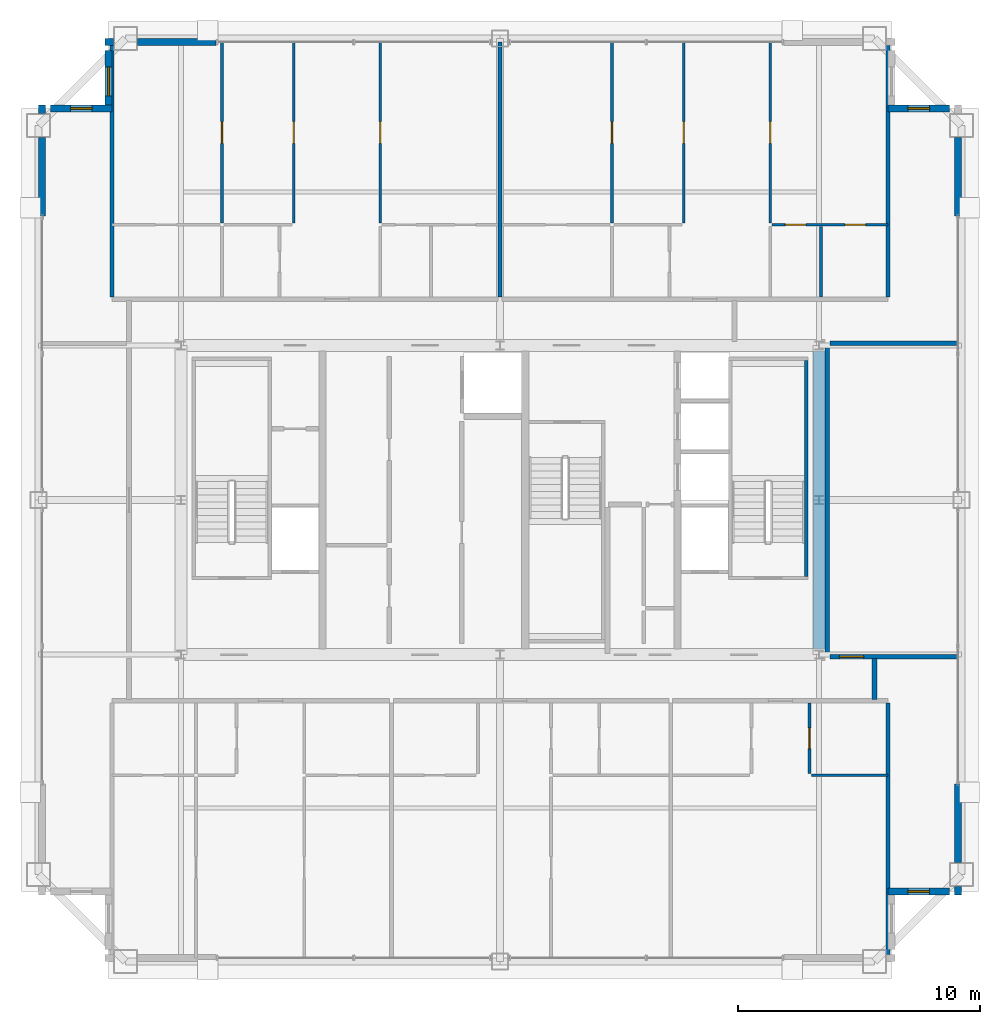
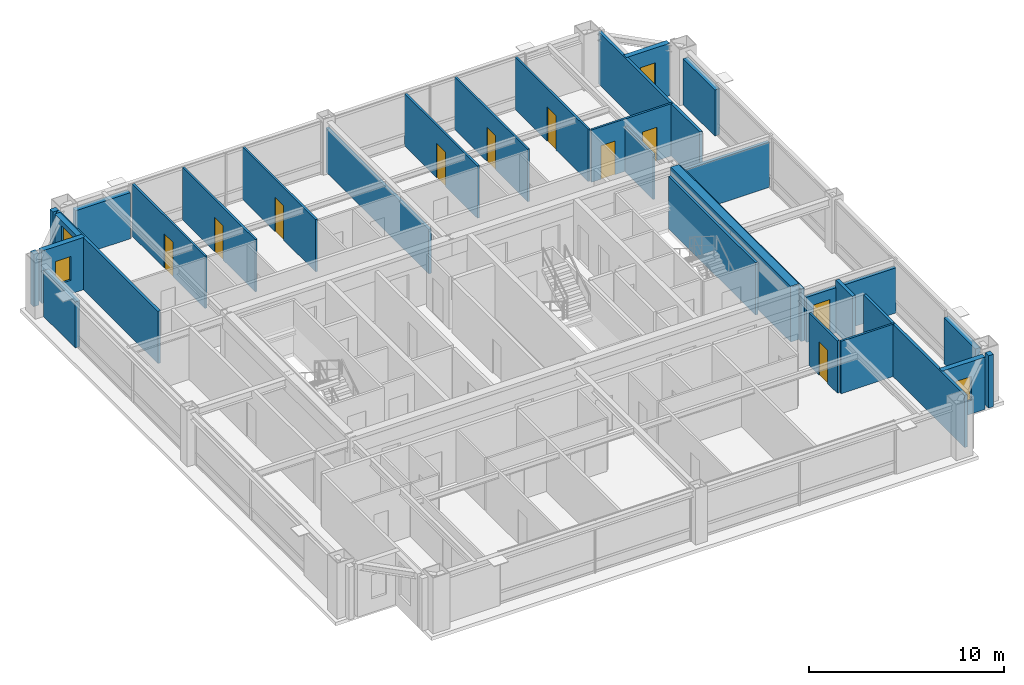
# One storey, part 33 of 35: 31 walls, 10 doors, 4 windows, 14 openings.
"""IFC4 building model written with IfcOpenShell, lengths in metres."""

from ifc_helpers import new_model, si_unit, direction, frame, frame_2d, origin, place, context, subcontext, project, spatial, rectangle, extrude, source, transform, mapped, material, layer, layer_set, type_object, element, fill, save


model = new_model("IFC4")

# Units and contexts
model_context = context("Model", 3, precision=1e-05, world=origin(), true_north=direction((0.0, 1.0)))
body_context = subcontext(model_context, "Body", "Model", "MODEL_VIEW")
ifc_project = project(units=[si_unit("LENGTHUNIT", "METRE"), si_unit("AREAUNIT", "SQUARE_METRE"), si_unit("VOLUMEUNIT", "CUBIC_METRE"), si_unit("PLANEANGLEUNIT", "RADIAN"), si_unit("MASSUNIT", "GRAM", prefix="KILO"), si_unit("THERMODYNAMICTEMPERATUREUNIT", "KELVIN"), si_unit("POWERUNIT", "WATT")], contexts=[model_context])

# Site, building, storey
site_placement = place(None, origin())
site = spatial("IfcSite", under=ifc_project, at=site_placement, CompositionType="ELEMENT")
building_placement = place(site_placement, origin())
building = spatial("IfcBuilding", under=site, at=building_placement, Name="Yuzanri Waterfront Tower", CompositionType="ELEMENT")
storey_placement = place(building_placement, frame((0.0, 0.0, 332.199951171875)))
storey = spatial("IfcBuildingStorey", under=building, at=storey_placement, Name="L89", CompositionType="ELEMENT", Elevation=332.199951171875)

# Wall, opening, door
ifc_material_1 = material(Name="Moisture-Resistant Gypsum Stud Wall", Category="gypsum")
ifc_layer_1 = layer(ifc_material_1, 0.1201171875)
ifc_layer_set_1 = layer_set([ifc_layer_1], Name="Moisture-Resistant Gypsum Stud Wall")
wall_type_1 = type_object("IfcWallType", Name="Bathroom and Kitchen Wet Partition 120", PredefinedType="PARTITIONING", material=ifc_layer_set_1)
wall_1_placement = place(storey_placement, frame((49.804931640625, 14.489990234375, 0.0), z_axis=(0.0, 0.0, 1.0), x_axis=(0.0, 1.0, 0.0)))
wall_1 = element("IfcWall", 1, at=wall_1_placement, inside=storey, type_object=wall_type_1, Name="L89 Partition UW-L89-HS3-SUB-2-W", PredefinedType="PARTITIONING", context=body_context, shape_type="SweptSolid", body=[
    extrude(rectangle(XDim=2.89990234375, YDim=0.1201171875, at=frame_2d((1.449951171875, 0.0))), origin(), (0.0, 0.0, 1.0), 3.280029296875),
])
opening_1_placement = place(wall_1_placement, frame((1.02490234375, 0.0, 0.0)))
opening_1 = element("IfcOpeningElement", 2, at=opening_1_placement, cuts=wall_1, Name="Opening ID-0850", PredefinedType="OPENING", context=body_context, shape_type="SweptSolid", body=[
    extrude(rectangle(XDim=0.85009765625, YDim=2.10009765625, at=frame_2d((0.425048828125, 1.050048828125))), frame((0.0, 0.074951171875, 0.0), z_axis=(0.0, -1.0, 0.0), x_axis=(1.0, 0.0, 0.0)), (0.0, 0.0, 1.0), 0.14990234375),
])
ifc_material_2 = material(Name="Moisture-Resistant Lacquered Timber", Category="wood")
door_type_1 = type_object("IfcDoorType", Name="En-Suite Bathroom and Kitchen Swing Door 850x2100", OperationType="NOTDEFINED", PredefinedType="DOOR", material=ifc_material_2)
shared_shape_1 = source(origin(), body_context, "Body", "SweptSolid", [
    extrude(rectangle(XDim=0.85009765625, YDim=2.10009765625, at=frame_2d((0.425048828125, 1.050048828125))), frame((0.0, 0.02490234375, 0.0), z_axis=(0.0, -1.0, 0.0), x_axis=(1.0, 0.0, 0.0)), (0.0, 0.0, 1.0), 0.050048828125),
])
door_1_placement = place(opening_1_placement, origin())
door_1 = element("IfcDoor", 3, at=door_1_placement, inside=storey, type_object=door_type_1, Name="L89 Suite Interior Room Door", OperationType="SINGLE_SWING_RIGHT", OverallHeight=2.10009765625, OverallWidth=0.85009765625, PredefinedType="DOOR", context=body_context, shape_type="MappedRepresentation", body=[
    mapped(shared_shape_1, transform((0.0, 0.0, 0.0), scale=1.0)),
])
fill(opening_1, door_1)

wall_2_placement = place(storey_placement, frame((25.493896484375, 37.27001953125, 0.0), z_axis=(0.0, 0.0, 1.0), x_axis=(0.0, 1.0, 0.0)))
wall_2 = element("IfcWall", 4, at=wall_2_placement, inside=storey, type_object=wall_type_1, Name="L89 Partition UW-L89-HN1-SUB-5-E", PredefinedType="PARTITIONING", context=body_context, shape_type="SweptSolid", body=[
    extrude(rectangle(XDim=7.47998046875, YDim=0.1201171875, at=frame_2d((3.739990234375, 0.0))), origin(), (0.0, 0.0, 1.0), 3.280029296875),
])
opening_2_placement = place(wall_2_placement, frame((3.2900390625, 0.0, 0.0)))
opening_2 = element("IfcOpeningElement", 5, at=opening_2_placement, cuts=wall_2, Name="Opening ID-0900", PredefinedType="OPENING", context=body_context, shape_type="SweptSolid", body=[
    extrude(rectangle(XDim=0.89990234375, YDim=2.14990234375, at=frame_2d((0.449951171875, 1.074951171875))), frame((0.0, 0.074951171875, 0.0), z_axis=(0.0, -1.0, 0.0), x_axis=(1.0, 0.0, 0.0)), (0.0, 0.0, 1.0), 0.14990234375),
])
ifc_material_3 = material(Name="Stained Walnut Veneer Timber", Category="wood")
door_type_2 = type_object("IfcDoorType", Name="Bedroom and Study Interior Swing Door 900x2150", OperationType="NOTDEFINED", PredefinedType="DOOR", material=ifc_material_3)
shared_shape_2 = source(origin(), body_context, "Body", "SweptSolid", [
    extrude(rectangle(XDim=0.89990234375, YDim=2.14990234375, at=frame_2d((0.449951171875, 1.074951171875))), frame((0.0, 0.02490234375, 0.0), z_axis=(0.0, -1.0, 0.0), x_axis=(1.0, 0.0, 0.0)), (0.0, 0.0, 1.0), 0.050048828125),
])
door_2_placement = place(opening_2_placement, origin())
door_2 = element("IfcDoor", 6, at=door_2_placement, inside=storey, type_object=door_type_2, Name="L89 Suite Interior Room Door", OperationType="SINGLE_SWING_RIGHT", OverallHeight=2.14990234375, OverallWidth=0.89990234375, PredefinedType="DOOR", context=body_context, shape_type="MappedRepresentation", body=[
    mapped(shared_shape_2, transform((0.0, 0.0, 0.0), scale=1.0)),
])
fill(opening_2, door_2)

wall_3_placement = place(storey_placement, frame((32.0458984375, 37.27001953125, 0.0), z_axis=(0.0, 0.0, 1.0), x_axis=(0.0, 1.0, 0.0)))
wall_3 = element("IfcWall", 7, at=wall_3_placement, inside=storey, type_object=wall_type_1, Name="L89 Partition UW-L89-HN1-SUB-6-W", PredefinedType="PARTITIONING", context=body_context, shape_type="SweptSolid", body=[
    extrude(rectangle(XDim=7.47998046875, YDim=0.1201171875, at=frame_2d((3.739990234375, 0.0))), origin(), (0.0, 0.0, 1.0), 3.280029296875),
])
opening_3_placement = place(wall_3_placement, frame((3.2900390625, 0.0, 0.0)))
opening_3 = element("IfcOpeningElement", 8, at=opening_3_placement, cuts=wall_3, Name="Opening ID-0900", PredefinedType="OPENING", context=body_context, shape_type="SweptSolid", body=[
    extrude(rectangle(XDim=0.89990234375, YDim=2.14990234375, at=frame_2d((0.449951171875, 1.074951171875))), frame((0.0, 0.074951171875, 0.0), z_axis=(0.0, -1.0, 0.0), x_axis=(1.0, 0.0, 0.0)), (0.0, 0.0, 1.0), 0.14990234375),
])
door_3_placement = place(opening_3_placement, origin())
door_3 = element("IfcDoor", 9, at=door_3_placement, inside=storey, type_object=door_type_2, Name="L89 Suite Interior Room Door", OperationType="SINGLE_SWING_LEFT", OverallHeight=2.14990234375, OverallWidth=0.89990234375, PredefinedType="DOOR", context=body_context, shape_type="MappedRepresentation", body=[
    mapped(shared_shape_2, transform((0.0, 0.0, 0.0), scale=1.0)),
])
fill(opening_3, door_3)

wall_4_placement = place(storey_placement, frame((28.466064453125, 37.27001953125, 0.0), z_axis=(0.0, 0.0, 1.0), x_axis=(0.0, 1.0, 0.0)))
wall_4 = element("IfcWall", 10, at=wall_4_placement, inside=storey, type_object=wall_type_1, Name="L89 Partition UW-L89-HN1-SUB-7-E", PredefinedType="PARTITIONING", context=body_context, shape_type="SweptSolid", body=[
    extrude(rectangle(XDim=7.47998046875, YDim=0.1201171875, at=frame_2d((3.739990234375, 0.0))), origin(), (0.0, 0.0, 1.0), 3.280029296875),
])
opening_4_placement = place(wall_4_placement, frame((3.2900390625, 0.0, 0.0)))
opening_4 = element("IfcOpeningElement", 11, at=opening_4_placement, cuts=wall_4, Name="Opening ID-0900", PredefinedType="OPENING", context=body_context, shape_type="SweptSolid", body=[
    extrude(rectangle(XDim=0.89990234375, YDim=2.14990234375, at=frame_2d((0.449951171875, 1.074951171875))), frame((0.0, 0.074951171875, 0.0), z_axis=(0.0, -1.0, 0.0), x_axis=(1.0, 0.0, 0.0)), (0.0, 0.0, 1.0), 0.14990234375),
])
door_4_placement = place(opening_4_placement, origin())
door_4 = element("IfcDoor", 12, at=door_4_placement, inside=storey, type_object=door_type_2, Name="L89 Suite Interior Room Door", OperationType="SINGLE_SWING_RIGHT", OverallHeight=2.14990234375, OverallWidth=0.89990234375, PredefinedType="DOOR", context=body_context, shape_type="MappedRepresentation", body=[
    mapped(shared_shape_2, transform((0.0, 0.0, 0.0), scale=1.0)),
])
fill(opening_4, door_4)

wall_5_placement = place(storey_placement, frame((41.634033203125, 37.27001953125, 0.0), z_axis=(0.0, 0.0, 1.0), x_axis=(0.0, 1.0, 0.0)))
wall_5 = element("IfcWall", 13, at=wall_5_placement, inside=storey, type_object=wall_type_1, Name="L89 Partition UW-L89-HN2-SUB-5-E", PredefinedType="PARTITIONING", context=body_context, shape_type="SweptSolid", body=[
    extrude(rectangle(XDim=7.47998046875, YDim=0.1201171875, at=frame_2d((3.739990234375, 0.0))), origin(), (0.0, 0.0, 1.0), 3.280029296875),
])
opening_5_placement = place(wall_5_placement, frame((3.2900390625, 0.0, 0.0)))
opening_5 = element("IfcOpeningElement", 14, at=opening_5_placement, cuts=wall_5, Name="Opening ID-0900", PredefinedType="OPENING", context=body_context, shape_type="SweptSolid", body=[
    extrude(rectangle(XDim=0.89990234375, YDim=2.14990234375, at=frame_2d((0.449951171875, 1.074951171875))), frame((0.0, 0.074951171875, 0.0), z_axis=(0.0, -1.0, 0.0), x_axis=(1.0, 0.0, 0.0)), (0.0, 0.0, 1.0), 0.14990234375),
])
door_5_placement = place(opening_5_placement, origin())
door_5 = element("IfcDoor", 15, at=door_5_placement, inside=storey, type_object=door_type_2, Name="L89 Suite Interior Room Door", OperationType="SINGLE_SWING_RIGHT", OverallHeight=2.14990234375, OverallWidth=0.89990234375, PredefinedType="DOOR", context=body_context, shape_type="MappedRepresentation", body=[
    mapped(shared_shape_2, transform((0.0, 0.0, 0.0), scale=1.0)),
])
fill(opening_5, door_5)

# Wall, openings, doors
wall_6_placement = place(storey_placement, frame((48.26611328125, 37.18994140625, 0.0), z_axis=(0.0, 0.0, 1.0), x_axis=(1.0, 0.0, 0.0)))
wall_6 = element("IfcWall", 16, at=wall_6_placement, inside=storey, type_object=wall_type_1, Name="L89 Partition UW-L89-HN2-SUB-6-S", PredefinedType="PARTITIONING", context=body_context, shape_type="SweptSolid", body=[
    extrude(rectangle(XDim=4.7939453125, YDim=0.1201171875, at=frame_2d((2.39697265625, 0.0))), origin(), (0.0, 0.0, 1.0), 3.280029296875),
])
opening_6_placement = place(wall_6_placement, frame((3.01904296875, 0.0, 0.0)))
opening_6 = element("IfcOpeningElement", 17, at=opening_6_placement, cuts=wall_6, Name="Opening ID-0850", PredefinedType="OPENING", context=body_context, shape_type="SweptSolid", body=[
    extrude(rectangle(XDim=0.85009765625, YDim=2.10009765625, at=frame_2d((0.425048828125, 1.050048828125))), frame((0.0, 0.074951171875, 0.0), z_axis=(0.0, -1.0, 0.0), x_axis=(1.0, 0.0, 0.0)), (0.0, 0.0, 1.0), 0.14990234375),
])
opening_7_placement = place(wall_6_placement, frame((0.5419921875, 0.0, 0.0)))
opening_7 = element("IfcOpeningElement", 18, at=opening_7_placement, cuts=wall_6, Name="Opening ID-0850", PredefinedType="OPENING", context=body_context, shape_type="SweptSolid", body=[
    extrude(rectangle(XDim=0.85009765625, YDim=2.10009765625, at=frame_2d((0.425048828125, 1.050048828125))), frame((0.0, 0.074951171875, 0.0), z_axis=(0.0, -1.0, 0.0), x_axis=(1.0, 0.0, 0.0)), (0.0, 0.0, 1.0), 0.14990234375),
])
door_6_placement = place(opening_6_placement, origin())
door_6 = element("IfcDoor", 19, at=door_6_placement, inside=storey, type_object=door_type_1, Name="L89 Suite Interior Room Door", OperationType="SINGLE_SWING_RIGHT", OverallHeight=2.10009765625, OverallWidth=0.85009765625, PredefinedType="DOOR", context=body_context, shape_type="MappedRepresentation", body=[
    mapped(shared_shape_1, transform((0.0, 0.0, 0.0), scale=1.0)),
])
fill(opening_6, door_6)
door_7_placement = place(opening_7_placement, origin())
door_7 = element("IfcDoor", 20, at=door_7_placement, inside=storey, type_object=door_type_1, Name="L89 Suite Interior Room Door", OperationType="SINGLE_SWING_LEFT", OverallHeight=2.10009765625, OverallWidth=0.85009765625, PredefinedType="DOOR", context=body_context, shape_type="MappedRepresentation", body=[
    mapped(shared_shape_1, transform((0.0, 0.0, 0.0), scale=1.0)),
])
fill(opening_7, door_7)

# Wall, opening, door
wall_7_placement = place(storey_placement, frame((48.18603515625, 37.27001953125, 0.0), z_axis=(0.0, 0.0, 1.0), x_axis=(0.0, 1.0, 0.0)))
wall_7 = element("IfcWall", 21, at=wall_7_placement, inside=storey, type_object=wall_type_1, Name="L89 Partition UW-L89-HN2-SUB-6-W", PredefinedType="PARTITIONING", context=body_context, shape_type="SweptSolid", body=[
    extrude(rectangle(XDim=7.47998046875, YDim=0.1201171875, at=frame_2d((3.739990234375, 0.0))), origin(), (0.0, 0.0, 1.0), 3.280029296875),
])
opening_8_placement = place(wall_7_placement, frame((3.2900390625, 0.0, 0.0)))
opening_8 = element("IfcOpeningElement", 22, at=opening_8_placement, cuts=wall_7, Name="Opening ID-0900", PredefinedType="OPENING", context=body_context, shape_type="SweptSolid", body=[
    extrude(rectangle(XDim=0.89990234375, YDim=2.14990234375, at=frame_2d((0.449951171875, 1.074951171875))), frame((0.0, 0.074951171875, 0.0), z_axis=(0.0, -1.0, 0.0), x_axis=(1.0, 0.0, 0.0)), (0.0, 0.0, 1.0), 0.14990234375),
])
door_8_placement = place(opening_8_placement, origin())
door_8 = element("IfcDoor", 23, at=door_8_placement, inside=storey, type_object=door_type_2, Name="L89 Suite Interior Room Door", OperationType="SINGLE_SWING_LEFT", OverallHeight=2.14990234375, OverallWidth=0.89990234375, PredefinedType="DOOR", context=body_context, shape_type="MappedRepresentation", body=[
    mapped(shared_shape_2, transform((0.0, 0.0, 0.0), scale=1.0)),
])
fill(opening_8, door_8)

wall_8_placement = place(storey_placement, frame((44.60595703125, 37.27001953125, 0.0), z_axis=(0.0, 0.0, 1.0), x_axis=(0.0, 1.0, 0.0)))
wall_8 = element("IfcWall", 24, at=wall_8_placement, inside=storey, type_object=wall_type_1, Name="L89 Partition UW-L89-HN2-SUB-7-E", PredefinedType="PARTITIONING", context=body_context, shape_type="SweptSolid", body=[
    extrude(rectangle(XDim=7.47998046875, YDim=0.1201171875, at=frame_2d((3.739990234375, 0.0))), origin(), (0.0, 0.0, 1.0), 3.280029296875),
])
opening_9_placement = place(wall_8_placement, frame((3.2900390625, 0.0, 0.0)))
opening_9 = element("IfcOpeningElement", 25, at=opening_9_placement, cuts=wall_8, Name="Opening ID-0900", PredefinedType="OPENING", context=body_context, shape_type="SweptSolid", body=[
    extrude(rectangle(XDim=0.89990234375, YDim=2.14990234375, at=frame_2d((0.449951171875, 1.074951171875))), frame((0.0, 0.074951171875, 0.0), z_axis=(0.0, -1.0, 0.0), x_axis=(1.0, 0.0, 0.0)), (0.0, 0.0, 1.0), 0.14990234375),
])
door_9_placement = place(opening_9_placement, origin())
door_9 = element("IfcDoor", 26, at=door_9_placement, inside=storey, type_object=door_type_2, Name="L89 Suite Interior Room Door", OperationType="SINGLE_SWING_RIGHT", OverallHeight=2.14990234375, OverallWidth=0.89990234375, PredefinedType="DOOR", context=body_context, shape_type="MappedRepresentation", body=[
    mapped(shared_shape_2, transform((0.0, 0.0, 0.0), scale=1.0)),
])
fill(opening_9, door_9)

# Wall, opening, window
ifc_material_4 = material(Name="Honed Chongqing Dark Basalt Stone", Category="masonry")
ifc_layer_2 = layer(ifc_material_4, 0.300048828125)
ifc_layer_set_2 = layer_set([ifc_layer_2], Name="Honed Chongqing Dark Basalt Stone")
wall_type_2 = type_object("IfcWallType", Name="Bronze Rainscreen Insulated Spandrel Portal Wall 300", PredefinedType="SOLIDWALL", material=ifc_layer_set_2)
wall_9_placement = place(storey_placement, frame((53.050048828125, 9.60009765625, 0.0), z_axis=(0.0, 0.0, 1.0), x_axis=(1.0, 0.0, 0.0)))
wall_9 = element("IfcWall", 27, at=wall_9_placement, inside=storey, type_object=wall_type_2, Name="L89 Notched Corner Masonry Wall SE-X", PredefinedType="SOLIDWALL", context=body_context, shape_type="SweptSolid", body=[
    extrude(rectangle(XDim=2.550048828125, YDim=0.300048828125, at=frame_2d((1.27490234375, 0.0))), origin(), (0.0, 0.0, 1.0), 3.280029296875),
])
opening_10_placement = place(wall_9_placement, frame((0.824951171875, 0.0, 0.85009765625)))
opening_10 = element("IfcOpeningElement", 28, at=opening_10_placement, cuts=wall_9, Name="Opening WN-05", PredefinedType="OPENING", context=body_context, shape_type="SweptSolid", body=[
    extrude(rectangle(XDim=0.89990234375, YDim=1.5, at=frame_2d((0.449951171875, 0.75))), frame((0.0, 0.1650390625, 0.0), z_axis=(0.0, -1.0, 0.0), x_axis=(1.0, 0.0, 0.0)), (0.0, 0.0, 1.0), 0.329833984375),
])
ifc_material_5 = material(Name="Double-Silver Low-E Insulated Glass", Category="glass")
window_type_1 = type_object("IfcWindowType", Name="Anodized Bronze Service and Stairwell Smoke-Vent Window 900x1500", PartitioningType="SINGLE_PANEL", PredefinedType="WINDOW", material=ifc_material_5)
shared_shape_3 = source(origin(), body_context, "Body", "SweptSolid", [
    extrude(rectangle(XDim=0.89990234375, YDim=1.5, at=frame_2d((0.449951171875, 0.75))), frame((0.0, 0.030029296875, 0.0), z_axis=(0.0, -1.0, 0.0), x_axis=(1.0, 0.0, 0.0)), (0.0, 0.0, 1.0), 0.06005859375),
])
window_1_placement = place(opening_10_placement, origin())
window_1 = element("IfcWindow", 29, at=window_1_placement, inside=storey, type_object=window_type_1, Name="L89 Notched Corner Window SE-X", OverallHeight=1.5, OverallWidth=0.89990234375, PartitioningType="SINGLE_PANEL", PredefinedType="WINDOW", context=body_context, shape_type="MappedRepresentation", body=[
    mapped(shared_shape_3, transform((0.0, 0.0, 0.0), scale=1.0)),
])
fill(opening_10, window_1)

wall_10_placement = place(storey_placement, frame((20.949951171875, 42.0, 0.0), z_axis=(0.0, 0.0, 1.0), x_axis=(-1.0, 0.0, 0.0)))
wall_10 = element("IfcWall", 30, at=wall_10_placement, inside=storey, type_object=wall_type_2, Name="L89 Notched Corner Masonry Wall NW-X", PredefinedType="SOLIDWALL", context=body_context, shape_type="SweptSolid", body=[
    extrude(rectangle(XDim=2.550048828125, YDim=0.300048828125, at=frame_2d((1.27490234375, 0.0))), origin(), (0.0, 0.0, 1.0), 3.280029296875),
])
opening_11_placement = place(wall_10_placement, frame((0.824951171875, 0.0, 0.85009765625)))
opening_11 = element("IfcOpeningElement", 31, at=opening_11_placement, cuts=wall_10, Name="Opening WN-05", PredefinedType="OPENING", context=body_context, shape_type="SweptSolid", body=[
    extrude(rectangle(XDim=0.89990234375, YDim=1.5, at=frame_2d((0.449951171875, 0.75))), frame((0.0, 0.1650390625, 0.0), z_axis=(0.0, -1.0, 0.0), x_axis=(1.0, 0.0, 0.0)), (0.0, 0.0, 1.0), 0.329833984375),
])
window_2_placement = place(opening_11_placement, origin())
window_2 = element("IfcWindow", 32, at=window_2_placement, inside=storey, type_object=window_type_1, Name="L89 Notched Corner Window NW-X", OverallHeight=1.5, OverallWidth=0.89990234375, PartitioningType="SINGLE_PANEL", PredefinedType="WINDOW", context=body_context, shape_type="MappedRepresentation", body=[
    mapped(shared_shape_3, transform((0.0, 0.0, 0.0), scale=1.0)),
])
fill(opening_11, window_2)

wall_11_placement = place(storey_placement, frame((20.800048828125, 44.39990234375, 0.0), z_axis=(0.0, 0.0, 1.0), x_axis=(0.0, -1.0, 0.0)))
wall_11 = element("IfcWall", 33, at=wall_11_placement, inside=storey, type_object=wall_type_2, Name="L89 Notched Corner Masonry Wall NW-Y", PredefinedType="SOLIDWALL", context=body_context, shape_type="SweptSolid", body=[
    extrude(rectangle(XDim=2.5498046875, YDim=0.300048828125, at=frame_2d((1.27490234375, 0.0))), origin(), (0.0, 0.0, 1.0), 3.280029296875),
])
opening_12_placement = place(wall_11_placement, frame((0.675048828125, 0.0, 0.85009765625)))
opening_12 = element("IfcOpeningElement", 34, at=opening_12_placement, cuts=wall_11, Name="Opening WN-02", PredefinedType="OPENING", context=body_context, shape_type="SweptSolid", body=[
    extrude(rectangle(XDim=1.199951171875, YDim=2.10009765625, at=frame_2d((0.60009765625, 1.050048828125))), frame((0.0, 0.1650390625, 0.0), z_axis=(0.0, -1.0, 0.0), x_axis=(1.0, 0.0, 0.0)), (0.0, 0.0, 1.0), 0.329833984375),
])
ifc_material_6 = material(Name="Double-Silver Low-E Insulated Glass", Category="glass")
window_type_2 = type_object("IfcWindowType", Name="Anodized Bronze Notched Corner Deep-Set Slot Window 1200x2100", PartitioningType="SINGLE_PANEL", PredefinedType="WINDOW", material=ifc_material_6)
shared_shape_4 = source(origin(), body_context, "Body", "SweptSolid", [
    extrude(rectangle(XDim=1.199951171875, YDim=2.10009765625, at=frame_2d((0.60009765625, 1.050048828125))), frame((0.0, 0.030029296875, 0.0), z_axis=(0.0, -1.0, 0.0), x_axis=(1.0, 0.0, 0.0)), (0.0, 0.0, 1.0), 0.06005859375),
])
window_3_placement = place(opening_12_placement, origin())
window_3 = element("IfcWindow", 35, at=window_3_placement, inside=storey, type_object=window_type_2, Name="L89 Notched Corner Window NW-Y", OverallHeight=2.10009765625, OverallWidth=1.199951171875, PartitioningType="SINGLE_PANEL", PredefinedType="WINDOW", context=body_context, shape_type="MappedRepresentation", body=[
    mapped(shared_shape_4, transform((0.0, 0.0, 0.0), scale=1.0)),
])
fill(opening_12, window_3)

wall_12_placement = place(storey_placement, frame((55.60009765625, 42.0, 0.0), z_axis=(0.0, 0.0, 1.0), x_axis=(-1.0, 0.0, 0.0)))
wall_12 = element("IfcWall", 36, at=wall_12_placement, inside=storey, type_object=wall_type_2, Name="L89 Notched Corner Masonry Wall NE-X", PredefinedType="SOLIDWALL", context=body_context, shape_type="SweptSolid", body=[
    extrude(rectangle(XDim=2.550048828125, YDim=0.300048828125, at=frame_2d((1.27490234375, 0.0))), origin(), (0.0, 0.0, 1.0), 3.280029296875),
])
opening_13_placement = place(wall_12_placement, frame((0.824951171875, 0.0, 0.85009765625)))
opening_13 = element("IfcOpeningElement", 37, at=opening_13_placement, cuts=wall_12, Name="Opening WN-05", PredefinedType="OPENING", context=body_context, shape_type="SweptSolid", body=[
    extrude(rectangle(XDim=0.89990234375, YDim=1.5, at=frame_2d((0.449951171875, 0.75))), frame((0.0, 0.1650390625, 0.0), z_axis=(0.0, -1.0, 0.0), x_axis=(1.0, 0.0, 0.0)), (0.0, 0.0, 1.0), 0.329833984375),
])
window_4_placement = place(opening_13_placement, origin())
window_4 = element("IfcWindow", 38, at=window_4_placement, inside=storey, type_object=window_type_1, Name="L89 Notched Corner Window NE-X", OverallHeight=1.5, OverallWidth=0.89990234375, PartitioningType="SINGLE_PANEL", PredefinedType="WINDOW", context=body_context, shape_type="MappedRepresentation", body=[
    mapped(shared_shape_3, transform((0.0, 0.0, 0.0), scale=1.0)),
])
fill(opening_13, window_4)

# Wall, opening, door
ifc_material_7 = material(Name="Autoclaved Aerated Concrete Blockwork", Category="masonry")
ifc_layer_3 = layer(ifc_material_7, 0.199951171875)
ifc_layer_set_3 = layer_set([ifc_layer_3], Name="Autoclaved Aerated Concrete Blockwork")
wall_type_3 = type_object("IfcWallType", Name="Corridor and Unit Party Fire Wall 200", PredefinedType="PARTITIONING", material=ifc_layer_set_3)
wall_13_placement = place(storey_placement, frame((50.64990234375, 19.31005859375, 0.0), z_axis=(0.0, 0.0, 1.0), x_axis=(1.0, 0.0, 0.0)))
wall_13 = element("IfcWall", 39, at=wall_13_placement, inside=storey, type_object=wall_type_3, Name="L89 Partition UW-L89-051-CS", PredefinedType="PARTITIONING", context=body_context, shape_type="SweptSolid", body=[
    extrude(rectangle(XDim=5.300048828125, YDim=0.199951171875, at=frame_2d((2.64990234375, 0.0))), origin(), (0.0, 0.0, 1.0), 2.824951171875),
])
opening_14_placement = place(wall_13_placement, frame((0.39990234375, 0.0, 0.0)))
opening_14 = element("IfcOpeningElement", 40, at=opening_14_placement, cuts=wall_13, Name="Opening FD-1000", PredefinedType="OPENING", context=body_context, shape_type="SweptSolid", body=[
    extrude(rectangle(XDim=1.0, YDim=2.199951171875, at=frame_2d((0.5, 1.10009765625))), frame((0.0, 0.11474609375, 0.0), z_axis=(0.0, -1.0, 0.0), x_axis=(1.0, 0.0, 0.0)), (0.0, 0.0, 1.0), 0.229736328125),
])
ifc_material_8 = material(Name="Engineered Oak Fire-Rated Timber", Category="wood")
door_type_3 = type_object("IfcDoorType", Name="Guestroom and Apartment Entrance Fire Door 1000x2200", OperationType="NOTDEFINED", PredefinedType="DOOR", material=ifc_material_8)
shared_shape_5 = source(origin(), body_context, "Body", "SweptSolid", [
    extrude(rectangle(XDim=1.0, YDim=2.199951171875, at=frame_2d((0.5, 1.10009765625))), frame((0.0, 0.02490234375, 0.0), z_axis=(0.0, -1.0, 0.0), x_axis=(1.0, 0.0, 0.0)), (0.0, 0.0, 1.0), 0.050048828125),
])
door_10_placement = place(opening_14_placement, origin())
door_10 = element("IfcDoor", 41, at=door_10_placement, inside=storey, type_object=door_type_3, Name="L89 High-Rise E Private Dining Restaurant Entrance Door", OperationType="SINGLE_SWING_RIGHT", OverallHeight=2.199951171875, OverallWidth=1.0, PredefinedType="DOOR", context=body_context, shape_type="MappedRepresentation", body=[
    mapped(shared_shape_5, transform((0.0, 0.0, 0.0), scale=1.0)),
])
fill(opening_14, door_10)

# Walls
ifc_material_9 = material(Name="Concrete C45", Category="concrete")
ifc_layer_4 = layer(ifc_material_9, 0.47998046875)
ifc_layer_set_4 = layer_set([ifc_layer_4], Name="Concrete C45")
wall_type_4 = type_object("IfcWallType", Name="Concrete C45 High-Rise Core Shear Wall 480", PredefinedType="SHEAR", material=ifc_layer_set_4)
shared_shape_6 = source(origin(), body_context, "Body", "SweptSolid", [
    extrude(rectangle(XDim=12.320068359375, YDim=0.47998046875, at=frame_2d((6.16015625, 0.0))), origin(), (0.0, 0.0, 1.0), 3.5),
])
wall_14_placement = place(storey_placement, frame((50.199951171875, 19.639892578125, 0.0), z_axis=(0.0, 0.0, 1.0), x_axis=(0.0, 1.0, 0.0)))
element("IfcWall", 42, at=wall_14_placement, inside=storey, type_object=wall_type_4, Name="L89 Core East Shear Wall", PredefinedType="SHEAR", context=body_context, shape_type="MappedRepresentation", body=[
    mapped(shared_shape_6, transform((0.0, 0.0, 0.0), scale=1.0)),
])
shared_shape_7 = source(origin(), body_context, "Body", "SweptSolid", [
    extrude(rectangle(XDim=3.25, YDim=0.300048828125, at=frame_2d((1.625, 0.0))), origin(), (0.0, 0.0, 1.0), 2.885009765625),
])
for number, where, z_axis, x_axis, name in (
    (43, (22.0, 44.75, 0.0), (0.0, 0.0, 1.0), (1.0, 0.0, 0.0), "L89 N Left Braced Masonry Shoulder"),
    (44, (18.050048828125, 37.550048828125, 0.0), (0.0, 0.0, 1.0), (0.0, 1.0, 0.0), "L89 W Right Braced Masonry Shoulder"),
    (45, (55.949951171875, 10.800048828125, 0.0), (0.0, 0.0, 1.0), (0.0, 1.0, 0.0), "L89 E Left Braced Masonry Shoulder"),
    (46, (55.949951171875, 37.550048828125, 0.0), (0.0, 0.0, 1.0), (0.0, 1.0, 0.0), "L89 E Right Braced Masonry Shoulder"),
):
    element("IfcWall", number, at=place(storey_placement, frame(where, z_axis=z_axis, x_axis=x_axis)), inside=storey, type_object=wall_type_2, Name=name, PredefinedType="SOLIDWALL", context=body_context, shape_type="MappedRepresentation", body=[
        mapped(shared_shape_7, transform((0.0, 0.0, 0.0), scale=1.0)),
    ])
shared_shape_8 = source(origin(), body_context, "Body", "SweptSolid", [
    extrude(rectangle(XDim=0.35009765625, YDim=0.300048828125, at=frame_2d((0.175048828125, 0.0))), origin(), (0.0, 0.0, 1.0), 3.280029296875),
])
for number, where, z_axis, x_axis, name in (
    (47, (20.64990234375, 44.75, 0.0), (0.0, 0.0, 1.0), (1.0, 0.0, 0.0), "L89 Corner Column Shoulder Return CNW"),
    (48, (55.949951171875, 9.449951171875, 0.0), (0.0, 0.0, 1.0), (0.0, 1.0, 0.0), "L89 Corner Column Shoulder Return CES"),
):
    element("IfcWall", number, at=place(storey_placement, frame(where, z_axis=z_axis, x_axis=x_axis)), inside=storey, type_object=wall_type_2, Name=name, PredefinedType="SOLIDWALL", context=body_context, shape_type="MappedRepresentation", body=[
        mapped(shared_shape_8, transform((0.0, 0.0, 0.0), scale=1.0)),
    ])
shared_shape_9 = source(origin(), body_context, "Body", "SweptSolid", [
    extrude(rectangle(XDim=0.349853515625, YDim=0.300048828125, at=frame_2d((0.1748046875, 0.0))), origin(), (0.0, 0.0, 1.0), 3.280029296875),
])
wall_15_placement = place(storey_placement, frame((18.050048828125, 41.800048828125, 0.0), z_axis=(0.0, 0.0, 1.0), x_axis=(0.0, 1.0, 0.0)))
element("IfcWall", 49, at=wall_15_placement, inside=storey, type_object=wall_type_2, Name="L89 Corner Column Shoulder Return CWN", PredefinedType="SOLIDWALL", context=body_context, shape_type="MappedRepresentation", body=[
    mapped(shared_shape_9, transform((0.0, 0.0, 0.0), scale=1.0)),
])
ifc_material_10 = material(Name="Concrete C40", Category="concrete")
ifc_layer_5 = layer(ifc_material_10, 0.139892578125)
ifc_layer_set_5 = layer_set([ifc_layer_5], Name="Concrete C40")
wall_type_5 = type_object("IfcWallType", Name="Core Stair Liner and Hoistway Shaft Wall 140", PredefinedType="SOLIDWALL", material=ifc_layer_set_5)
shared_shape_10 = source(origin(), body_context, "Body", "SweptSolid", [
    extrude(rectangle(XDim=8.940185546875, YDim=0.139892578125, at=frame_2d((4.47021484375, 0.0))), origin(), (0.0, 0.0, 1.0), 3.280029296875),
])
wall_16_placement = place(storey_placement, frame((49.669921875, 22.639892578125, 0.0), z_axis=(0.0, 0.0, 1.0), x_axis=(0.0, 1.0, 0.0)))
element("IfcWall", 50, at=wall_16_placement, inside=storey, type_object=wall_type_5, Name="L89 Stair ST-02 East Shaft Wall", PredefinedType="SOLIDWALL", context=body_context, shape_type="MappedRepresentation", body=[
    mapped(shared_shape_10, transform((0.0, 0.0, 0.0), scale=1.0)),
])
shared_shape_11 = source(origin(), body_context, "Body", "SweptSolid", [
    extrude(rectangle(XDim=12.780029296875, YDim=0.199951171875, at=frame_2d((6.39013671875, 0.0))), origin(), (0.0, 0.0, 1.0), 3.280029296875),
])
wall_17_placement = place(storey_placement, frame((50.544921875, 19.409912109375, 0.0), z_axis=(0.0, 0.0, 1.0), x_axis=(0.0, 1.0, 0.0)))
element("IfcWall", 51, at=wall_17_placement, inside=storey, type_object=wall_type_3, Name="L89-051 Wing Inner Core-Side Wall", PredefinedType="PARTITIONING", context=body_context, shape_type="MappedRepresentation", body=[
    mapped(shared_shape_11, transform((0.0, 0.0, 0.0), scale=1.0)),
])
shared_shape_12 = source(origin(), body_context, "Body", "SweptSolid", [
    extrude(rectangle(XDim=5.300048828125, YDim=0.199951171875, at=frame_2d((2.64990234375, 0.0))), origin(), (0.0, 0.0, 1.0), 2.824951171875),
])
wall_18_placement = place(storey_placement, frame((50.64990234375, 32.2900390625, 0.0), z_axis=(0.0, 0.0, 1.0), x_axis=(1.0, 0.0, 0.0)))
element("IfcWall", 52, at=wall_18_placement, inside=storey, type_object=wall_type_3, Name="L89-051 Wing North Wall", PredefinedType="PARTITIONING", context=body_context, shape_type="MappedRepresentation", body=[
    mapped(shared_shape_12, transform((0.0, 0.0, 0.0), scale=1.0)),
])
shared_shape_13 = source(origin(), body_context, "Body", "SweptSolid", [
    extrude(rectangle(XDim=1.699951171875, YDim=0.199951171875, at=frame_2d((0.85009765625, 0.0))), origin(), (0.0, 0.0, 1.0), 3.280029296875),
])
wall_19_placement = place(storey_placement, frame((52.5, 17.550048828125, 0.0), z_axis=(0.0, 0.0, 1.0), x_axis=(0.0, 1.0, 0.0)))
element("IfcWall", 53, at=wall_19_placement, inside=storey, type_object=wall_type_3, Name="L89 South Foyer East End Wall", PredefinedType="PARTITIONING", context=body_context, shape_type="MappedRepresentation", body=[
    mapped(shared_shape_13, transform((0.0, 0.0, 0.0), scale=1.0)),
])
ifc_material_11 = material(Name="Gypsum Fireboard Acoustic Stud Wall", Category="gypsum")
ifc_layer_6 = layer(ifc_material_11, 0.159912109375)
ifc_layer_set_6 = layer_set([ifc_layer_6], Name="Gypsum Fireboard Acoustic Stud Wall")
wall_type_6 = type_object("IfcWallType", Name="Acoustic Suite Demising Partition 160", PredefinedType="PARTITIONING", material=ifc_layer_set_6)
shared_shape_14 = source(origin(), body_context, "Body", "SweptSolid", [
    extrude(rectangle(XDim=10.389892578125, YDim=0.159912109375, at=frame_2d((5.19482421875, 0.0))), origin(), (0.0, 0.0, 1.0), 3.280029296875),
])
wall_20_placement = place(storey_placement, frame((53.050048828125, 7.0, 0.0), z_axis=(0.0, 0.0, 1.0), x_axis=(0.0, 1.0, 0.0)))
element("IfcWall", 54, at=wall_20_placement, inside=storey, type_object=wall_type_6, Name="L89 South Band East End Wall", PredefinedType="PARTITIONING", context=body_context, shape_type="MappedRepresentation", body=[
    mapped(shared_shape_14, transform((0.0, 0.0, 0.0), scale=1.0)),
])
shared_shape_15 = source(origin(), body_context, "Body", "SweptSolid", [
    extrude(rectangle(XDim=10.5400390625, YDim=0.159912109375, at=frame_2d((5.27001953125, 0.0))), origin(), (0.0, 0.0, 1.0), 2.787109375),
])
wall_21_placement = place(storey_placement, frame((37.0, 34.2099609375, 0.0), z_axis=(0.0, 0.0, 1.0), x_axis=(0.0, 1.0, 0.0)))
element("IfcWall", 55, at=wall_21_placement, inside=storey, type_object=wall_type_6, Name="L89-HN1 Party Wall", PredefinedType="PARTITIONING", context=body_context, shape_type="MappedRepresentation", body=[
    mapped(shared_shape_15, transform((0.0, 0.0, 0.0), scale=1.0)),
])
shared_shape_16 = source(origin(), body_context, "Body", "SweptSolid", [
    extrude(rectangle(XDim=10.39013671875, YDim=0.159912109375, at=frame_2d((5.195068359375, 0.0))), origin(), (0.0, 0.0, 1.0), 3.280029296875),
])
for number, where, z_axis, x_axis, name in (
    (56, (20.949951171875, 34.2099609375, 0.0), (0.0, 0.0, 1.0), (0.0, 1.0, 0.0), "L89 North Band West End Wall"),
    (57, (53.050048828125, 34.2099609375, 0.0), (0.0, 0.0, 1.0), (0.0, 1.0, 0.0), "L89 North Band East End Wall"),
):
    element("IfcWall", number, at=place(storey_placement, frame(where, z_axis=z_axis, x_axis=x_axis)), inside=storey, type_object=wall_type_6, Name=name, PredefinedType="PARTITIONING", context=body_context, shape_type="MappedRepresentation", body=[
        mapped(shared_shape_16, transform((0.0, 0.0, 0.0), scale=1.0)),
    ])
shared_shape_17 = source(origin(), body_context, "Body", "SweptSolid", [
    extrude(rectangle(XDim=3.175048828125, YDim=0.1201171875, at=frame_2d((1.58740234375, 0.0))), origin(), (0.0, 0.0, 1.0), 3.280029296875),
])
wall_22_placement = place(storey_placement, frame((49.885009765625, 14.409912109375, 0.0), z_axis=(0.0, 0.0, 1.0), x_axis=(1.0, 0.0, 0.0)))
element("IfcWall", 58, at=wall_22_placement, inside=storey, type_object=wall_type_1, Name="L89 Partition UW-L89-HS3-SUB-2-S", PredefinedType="PARTITIONING", context=body_context, shape_type="MappedRepresentation", body=[
    mapped(shared_shape_17, transform((0.0, 0.0, 0.0), scale=1.0)),
])
shared_shape_18 = source(origin(), body_context, "Body", "SweptSolid", [
    extrude(rectangle(XDim=2.900146484375, YDim=0.1201171875, at=frame_2d((1.4501953125, 0.0))), origin(), (0.0, 0.0, 1.0), 2.824951171875),
])
wall_23_placement = place(storey_placement, frame((50.280029296875, 34.2099609375, 0.0), z_axis=(0.0, 0.0, 1.0), x_axis=(0.0, 1.0, 0.0)))
element("IfcWall", 59, at=wall_23_placement, inside=storey, type_object=wall_type_1, Name="L89 Partition UW-L89-HN2-SUB-3-W", PredefinedType="PARTITIONING", context=body_context, shape_type="MappedRepresentation", body=[
    mapped(shared_shape_18, transform((0.0, 0.0, 0.0), scale=1.0)),
])

save(model, "model.ifc")
